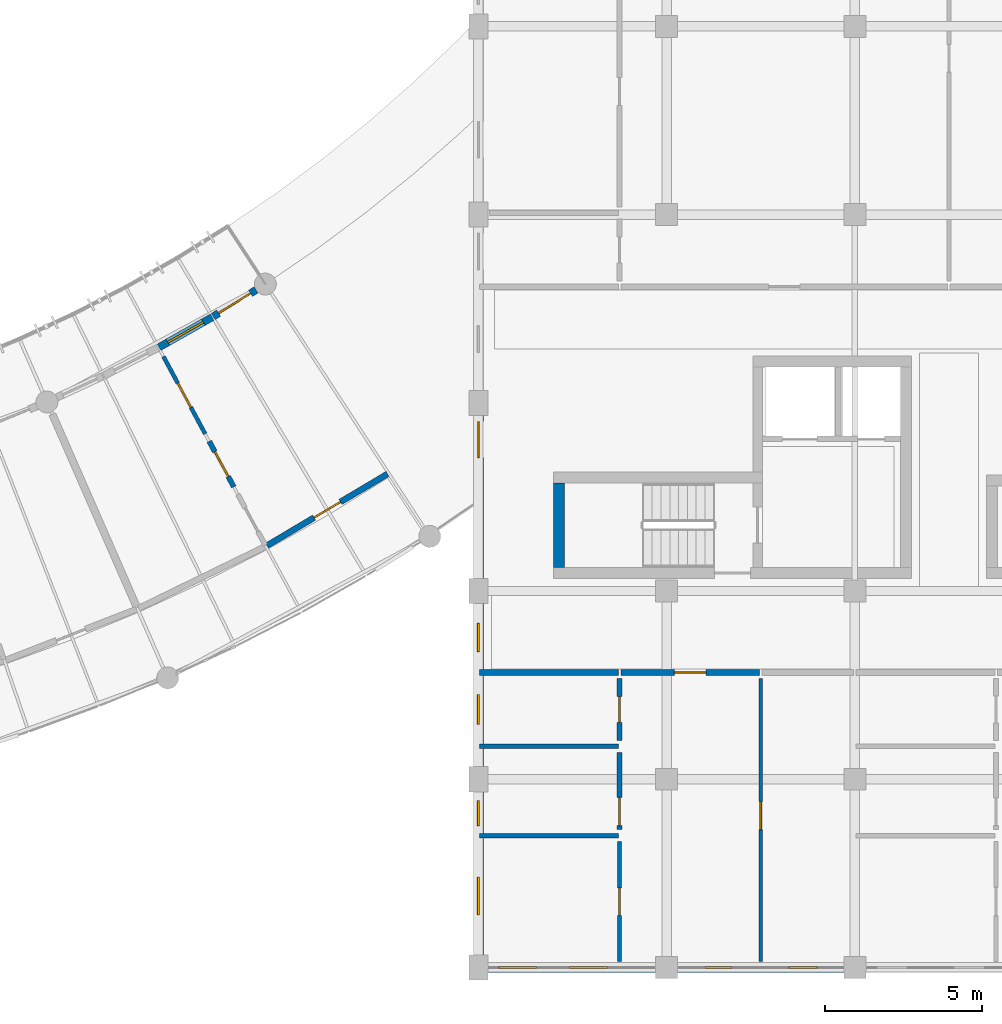
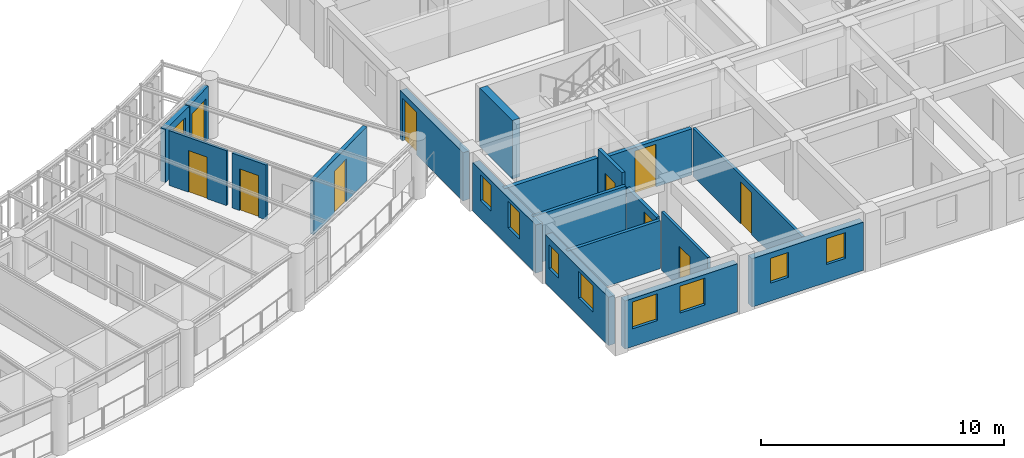
# One storey, part 95 of 137: 19 walls, 10 doors, 9 windows, 19 openings.
"""IFC4 building model written with IfcOpenShell, lengths in metres."""

from ifc_helpers import new_model, si_unit, direction, frame, frame_2d, origin, place, context, subcontext, project, spatial, rectangle, extrude, material, layer, layer_set, type_object, element, fill, save


model = new_model("IFC4")

# Units and contexts
model_context = context("Model", 3, precision=1e-05, world=origin(), true_north=direction((0.0, 1.0)))
body_context = subcontext(model_context, "Body", "Model", "MODEL_VIEW")
ifc_project = project(units=[si_unit("LENGTHUNIT", "METRE"), si_unit("AREAUNIT", "SQUARE_METRE"), si_unit("VOLUMEUNIT", "CUBIC_METRE"), si_unit("PLANEANGLEUNIT", "RADIAN"), si_unit("MASSUNIT", "GRAM", prefix="KILO"), si_unit("POWERUNIT", "WATT"), si_unit("THERMODYNAMICTEMPERATUREUNIT", "KELVIN")], contexts=[model_context])

# Site, building, storey
site_placement = place(None, origin())
site = spatial("IfcSite", under=ifc_project, at=site_placement, CompositionType="ELEMENT")
building_placement = place(site_placement, origin())
building = spatial("IfcBuilding", under=site, at=building_placement, Name="Ruvembo Vaulted Housing Court", CompositionType="ELEMENT")
storey_placement = place(building_placement, frame((0.0, 0.0, 4.5)))
storey = spatial("IfcBuildingStorey", under=building, at=storey_placement, Name="L01", CompositionType="ELEMENT", Elevation=4.5)

# Walls
ifc_material_1 = material(Name="Concrete C35/45", Category="concrete")
ifc_layer_1 = layer(ifc_material_1, 0.35009765625, Name="Concrete C35/45")
ifc_layer_set_1 = layer_set([ifc_layer_1], Name="Concrete C35/45")
wall_type_1 = type_object("IfcWallType", Name="WL-CORE-350", PredefinedType="SHEAR", material=ifc_layer_set_1)
wall_1_placement = place(storey_placement, frame((104.574951171875, 15.449951171875, 0.0), z_axis=(0.0, 0.0, 1.0), x_axis=(0.0, -1.0, 0.0)))
element("IfcWall", 1, at=wall_1_placement, inside=storey, type_object=wall_type_1, Name="Core C1 L01 Stair West Shear Wall", PredefinedType="SHEAR", context=body_context, shape_type="SweptSolid", body=[
    extrude(rectangle(XDim=2.699951171875, YDim=0.35009765625, at=frame_2d((1.35009765625, 0.0))), origin(), (0.0, 0.0, 1.0), 2.945068359375),
])
ifc_material_2 = material(Name="Concrete Blockwork 190", Category="masonry")
ifc_layer_2 = layer(ifc_material_2, 0.18994140625, Name="Concrete Blockwork 190")
ifc_layer_set_2 = layer_set([ifc_layer_2], Name="Concrete Blockwork 190")
wall_type_2 = type_object("IfcWallType", Name="WL-CORR-190", PredefinedType="SOLIDWALL", material=ifc_layer_set_2)
wall_2_placement = place(storey_placement, frame((102.0400390625, 9.39990234375, 0.0), z_axis=(0.0, 0.0, 1.0), x_axis=(1.0, 0.0, 0.0)))
element("IfcWall", 2, at=wall_2_placement, inside=storey, type_object=wall_type_2, Name="L01 Flat C-L01-S1 Corridor Wall WL-INT-L01-00275", PredefinedType="SOLIDWALL", context=body_context, shape_type="SweptSolid", body=[
    extrude(rectangle(XDim=4.419921875, YDim=0.18994140625, at=frame_2d((2.2099609375, 0.0))), origin(), (0.0, 0.0, 1.0), 2.427001953125),
])

# Wall, opening, door
wall_3_placement = place(storey_placement, frame((106.5400390625, 9.39990234375, 0.0), z_axis=(0.0, 0.0, 1.0), x_axis=(1.0, 0.0, 0.0)))
wall_3 = element("IfcWall", 3, at=wall_3_placement, inside=storey, type_object=wall_type_2, Name="L01 Flat C-L01-S1 Entrance WL-INT-L01-00276", PredefinedType="SOLIDWALL", context=body_context, shape_type="SweptSolid", body=[
    extrude(rectangle(XDim=4.419921875, YDim=0.18994140625, at=frame_2d((2.2099609375, 0.0))), origin(), (0.0, 0.0, 1.0), 2.326904296875),
])
opening_1_placement = place(wall_3_placement, frame((1.7099609375, 0.0, 0.0)))
opening_1 = element("IfcOpeningElement", 4, at=opening_1_placement, cuts=wall_3, Name="Opening FD1", PredefinedType="OPENING", context=body_context, shape_type="SweptSolid", body=[
    extrude(rectangle(XDim=1.0, YDim=2.14990234375, at=frame_2d((0.5, 1.074951171875))), frame((0.0, 0.10498046875, 0.0), z_axis=(0.0, -1.0, 0.0), x_axis=(1.0, 0.0, 0.0)), (0.0, 0.0, 1.0), 0.2099609375),
])
ifc_material_3 = material(Name="FSC Hardwood and Engineered Timber", Category="wood")
door_type_1 = type_object("IfcDoorType", Name="DR-FLAT-1000x2150", OperationType="NOTDEFINED", PredefinedType="DOOR", material=ifc_material_3)
door_1_placement = place(opening_1_placement, origin())
door_1 = element("IfcDoor", 5, at=door_1_placement, inside=storey, type_object=door_type_1, Name="L01 Flat C-L01-S1 Entrance Door DR-INT-L01-00138", OperationType="SINGLE_SWING_RIGHT", OverallHeight=2.14990234375, OverallWidth=1.0, PredefinedType="DOOR", context=body_context, shape_type="SweptSolid", body=[
    extrude(rectangle(XDim=1.0, YDim=2.14990234375, at=frame_2d((0.5, 1.074951171875))), frame((0.0, 0.02490234375, 0.0), z_axis=(0.0, -1.0, 0.0), x_axis=(1.0, 0.0, 0.0)), (0.0, 0.0, 1.0), 0.050048828125),
])
fill(opening_1, door_1)

wall_4_placement = place(storey_placement, frame((95.258056640625, 13.447265625, 0.0), z_axis=(0.0, 0.0, 1.0), x_axis=(0.859614290038, 0.510943511909, 0.0)))
wall_4 = element("IfcWall", 6, at=wall_4_placement, inside=storey, type_object=wall_type_2, Name="L01 Suite SC2-L01-U7 Entrance WL-INT-L01-00436", PredefinedType="SOLIDWALL", context=body_context, shape_type="SweptSolid", body=[
    extrude(rectangle(XDim=4.472900390625, YDim=0.18994140625, at=frame_2d((2.236328125, 0.0))), origin(), (0.0, 0.0, 1.0), 2.721923828125),
])
opening_2_placement = place(wall_4_placement, frame((1.74658203125, 0.0, 0.0)))
opening_2 = element("IfcOpeningElement", 7, at=opening_2_placement, cuts=wall_4, Name="Opening FD2", PredefinedType="OPENING", context=body_context, shape_type="SweptSolid", body=[
    extrude(rectangle(XDim=0.97998046875, YDim=2.14990234375, at=frame_2d((0.489990234375, 1.074951171875))), frame((0.0, 0.10498046875, 0.0), z_axis=(0.0, -1.0, 0.0), x_axis=(1.0, 0.0, 0.0)), (0.0, 0.0, 1.0), 0.2099609375),
])
door_type_2 = type_object("IfcDoorType", Name="DR-FLAT-0980x2150", OperationType="NOTDEFINED", PredefinedType="DOOR", material=ifc_material_3)
door_2_placement = place(opening_2_placement, origin())
door_2 = element("IfcDoor", 8, at=door_2_placement, inside=storey, type_object=door_type_2, Name="L01 Suite SC2-L01-U7 Entrance Door DR-INT-L01-00232", OperationType="SINGLE_SWING_RIGHT", OverallHeight=2.14990234375, OverallWidth=0.97998046875, PredefinedType="DOOR", context=body_context, shape_type="SweptSolid", body=[
    extrude(rectangle(XDim=0.97998046875, YDim=2.14990234375, at=frame_2d((0.489990234375, 1.074951171875))), frame((0.0, 0.02490234375, 0.0), z_axis=(0.0, -1.0, 0.0), x_axis=(1.0, 0.0, 0.0)), (0.0, 0.0, 1.0), 0.050048828125),
])
fill(opening_2, door_2)

# Wall, opening, window
ifc_material_4 = material(Name="Rendered Masonry 235", Category="masonry")
ifc_layer_3 = layer(ifc_material_4, 0.235107421875, Name="Rendered Masonry 235")
ifc_layer_set_3 = layer_set([ifc_layer_3], Name="Rendered Masonry 235")
wall_type_3 = type_object("IfcWallType", Name="WL-EXT-235", PredefinedType="STANDARD", material=ifc_layer_set_3)
wall_5_placement = place(storey_placement, frame((91.820556640625, 19.772216796875, 0.0), z_axis=(0.0, 0.0, 1.0), x_axis=(0.86993400964, 0.493168144623, 0.0)))
wall_5 = element("IfcWall", 9, at=wall_5_placement, inside=storey, type_object=wall_type_3, Name="Scoop SC2 L01 Concave Balcony Wall 26", PredefinedType="STANDARD", context=body_context, shape_type="SweptSolid", body=[
    extrude(rectangle(XDim=1.940185546875, YDim=0.235107421875, at=frame_2d((0.97021484375, 0.0))), origin(), (0.0, 0.0, 1.0), 2.68408203125),
])
opening_3_placement = place(wall_5_placement, frame((0.320068359375, 0.0, 0.85009765625)))
opening_3 = element("IfcOpeningElement", 10, at=opening_3_placement, cuts=wall_5, Name="Opening W15", PredefinedType="OPENING", context=body_context, shape_type="SweptSolid", body=[
    extrude(rectangle(XDim=1.300048828125, YDim=1.449951171875, at=frame_2d((0.64990234375, 0.72509765625))), frame((0.0, 0.12744140625, 0.0), z_axis=(0.0, -1.0, 0.0), x_axis=(1.0, 0.0, 0.0)), (0.0, 0.0, 1.0), 0.255126953125),
])
ifc_material_5 = material(Name="Double Solar-Control Glazing in Aluminium Frame", Category="aluminium")
window_type_1 = type_object("IfcWindowType", Name="WIN-1300x1450", PartitioningType="SINGLE_PANEL", PredefinedType="WINDOW", material=ifc_material_5)
window_1_placement = place(opening_3_placement, origin())
window_1 = element("IfcWindow", 11, at=window_1_placement, inside=storey, type_object=window_type_1, Name="Scoop SC2 L01 Concave Window 26", OverallHeight=1.449951171875, OverallWidth=1.300048828125, PartitioningType="SINGLE_PANEL", PredefinedType="WINDOW", context=body_context, shape_type="SweptSolid", body=[
    extrude(rectangle(XDim=1.300048828125, YDim=1.449951171875, at=frame_2d((0.64990234375, 0.72509765625))), frame((0.0, 0.030029296875, 0.0), z_axis=(0.0, -1.0, 0.0), x_axis=(1.0, 0.0, 0.0)), (0.0, 0.0, 1.0), 0.06005859375),
])
fill(opening_3, window_1)

# Wall, opening, door
wall_6_placement = place(storey_placement, frame((93.542724609375, 20.74951171875, 0.0), z_axis=(0.0, 0.0, 1.0), x_axis=(0.848934138406, 0.528498655296, 0.0)))
wall_6 = element("IfcWall", 12, at=wall_6_placement, inside=storey, type_object=wall_type_3, Name="Scoop SC2 L01 Concave Balcony Wall 27", PredefinedType="STANDARD", context=body_context, shape_type="SweptSolid", body=[
    extrude(rectangle(XDim=1.60986328125, YDim=0.235107421875, at=frame_2d((0.804931640625, 0.0))), origin(), (0.0, 0.0, 1.0), 2.68408203125),
])
opening_4_placement = place(wall_6_placement, frame((0.205078125, 0.0, 0.0)))
opening_4 = element("IfcOpeningElement", 13, at=opening_4_placement, cuts=wall_6, Name="Opening BD2", PredefinedType="OPENING", context=body_context, shape_type="SweptSolid", body=[
    extrude(rectangle(XDim=1.199951171875, YDim=2.14990234375, at=frame_2d((0.60009765625, 1.074951171875))), frame((0.0, 0.12744140625, 0.0), z_axis=(0.0, -1.0, 0.0), x_axis=(1.0, 0.0, 0.0)), (0.0, 0.0, 1.0), 0.255126953125),
])
ifc_material_6 = material(Name="Thermally Broken Glazed Aluminium", Category="aluminium")
door_type_3 = type_object("IfcDoorType", Name="DR-BAL-1200x2150", OperationType="NOTDEFINED", PredefinedType="DOOR", material=ifc_material_6)
door_3_placement = place(opening_4_placement, origin())
door_3 = element("IfcDoor", 14, at=door_3_placement, inside=storey, type_object=door_type_3, Name="Scoop SC2 L01 Balcony Door 27", OperationType="SINGLE_SWING_RIGHT", OverallHeight=2.14990234375, OverallWidth=1.199951171875, PredefinedType="DOOR", context=body_context, shape_type="SweptSolid", body=[
    extrude(rectangle(XDim=1.199951171875, YDim=2.14990234375, at=frame_2d((0.60009765625, 1.074951171875))), frame((0.0, 0.02490234375, 0.0), z_axis=(0.0, -1.0, 0.0), x_axis=(1.0, 0.0, 0.0)), (0.0, 0.0, 1.0), 0.050048828125),
])
fill(opening_4, door_3)

# Wall, openings, windows
ifc_material_7 = material(Name="Rendered Masonry 320", Category="masonry")
ifc_layer_4 = layer(ifc_material_7, 0.320068359375, Name="Rendered Masonry 320")
ifc_layer_set_4 = layer_set([ifc_layer_4], Name="Rendered Masonry 320")
wall_type_4 = type_object("IfcWallType", Name="WL-EXT-320", PredefinedType="STANDARD", material=ifc_layer_set_4)
wall_7_placement = place(storey_placement, frame((102.300048828125, 0.0, 0.0), z_axis=(0.0, 0.0, 1.0), x_axis=(1.0, 0.0, 0.0)))
wall_7 = element("IfcWall", 15, at=wall_7_placement, inside=storey, type_object=wall_type_4, Name="Block C L01 Exterior Wall STREET #1", PredefinedType="STANDARD", context=body_context, shape_type="SweptSolid", body=[
    extrude(rectangle(XDim=5.349853515625, YDim=0.320068359375, at=frame_2d((2.6748046875, 0.0))), origin(), (0.0, 0.0, 1.0), 2.427001953125),
])
opening_5_placement = place(wall_7_placement, frame((0.35009765625, 0.0, 0.89990234375)))
opening_5 = element("IfcOpeningElement", 16, at=opening_5_placement, cuts=wall_7, Name="Opening W12", PredefinedType="OPENING", context=body_context, shape_type="SweptSolid", body=[
    extrude(rectangle(XDim=1.199951171875, YDim=1.35009765625, at=frame_2d((0.60009765625, 0.675048828125))), frame((0.0, 0.169921875, 0.0), z_axis=(0.0, -1.0, 0.0), x_axis=(1.0, 0.0, 0.0)), (0.0, 0.0, 1.0), 0.340087890625),
])
opening_6_placement = place(wall_7_placement, frame((2.610107421875, 0.0, 0.89990234375)))
opening_6 = element("IfcOpeningElement", 17, at=opening_6_placement, cuts=wall_7, Name="Opening W12", PredefinedType="OPENING", context=body_context, shape_type="SweptSolid", body=[
    extrude(rectangle(XDim=1.199951171875, YDim=1.35009765625, at=frame_2d((0.60009765625, 0.675048828125))), frame((0.0, 0.169921875, 0.0), z_axis=(0.0, -1.0, 0.0), x_axis=(1.0, 0.0, 0.0)), (0.0, 0.0, 1.0), 0.340087890625),
])
window_type_2 = type_object("IfcWindowType", Name="WIN-1200x1350", PartitioningType="SINGLE_PANEL", PredefinedType="WINDOW", material=ifc_material_5)
window_2_placement = place(opening_5_placement, origin())
window_2 = element("IfcWindow", 18, at=window_2_placement, inside=storey, type_object=window_type_2, Name="Block C L01 Window #1109", OverallHeight=1.35009765625, OverallWidth=1.199951171875, PartitioningType="SINGLE_PANEL", PredefinedType="WINDOW", context=body_context, shape_type="SweptSolid", body=[
    extrude(rectangle(XDim=1.199951171875, YDim=1.35009765625, at=frame_2d((0.60009765625, 0.675048828125))), frame((0.0, 0.030029296875, 0.0), z_axis=(0.0, -1.0, 0.0), x_axis=(1.0, 0.0, 0.0)), (0.0, 0.0, 1.0), 0.06005859375),
])
fill(opening_5, window_2)
window_3_placement = place(opening_6_placement, origin())
window_3 = element("IfcWindow", 19, at=window_3_placement, inside=storey, type_object=window_type_2, Name="Block C L01 Window #1110", OverallHeight=1.35009765625, OverallWidth=1.199951171875, PartitioningType="SINGLE_PANEL", PredefinedType="WINDOW", context=body_context, shape_type="SweptSolid", body=[
    extrude(rectangle(XDim=1.199951171875, YDim=1.35009765625, at=frame_2d((0.60009765625, 0.675048828125))), frame((0.0, 0.030029296875, 0.0), z_axis=(0.0, -1.0, 0.0), x_axis=(1.0, 0.0, 0.0)), (0.0, 0.0, 1.0), 0.06005859375),
])
fill(opening_6, window_3)

wall_8_placement = place(storey_placement, frame((108.35009765625, 0.0, 0.0), z_axis=(0.0, 0.0, 1.0), x_axis=(1.0, 0.0, 0.0)))
wall_8 = element("IfcWall", 20, at=wall_8_placement, inside=storey, type_object=wall_type_4, Name="Block C L01 Exterior Wall STREET #2", PredefinedType="STANDARD", context=body_context, shape_type="SweptSolid", body=[
    extrude(rectangle(XDim=5.2998046875, YDim=0.320068359375, at=frame_2d((2.64990234375, 0.0))), origin(), (0.0, 0.0, 1.0), 2.427001953125),
])
opening_7_placement = place(wall_8_placement, frame((0.8798828125, 0.0, 0.89990234375)))
opening_7 = element("IfcOpeningElement", 21, at=opening_7_placement, cuts=wall_8, Name="Opening W03", PredefinedType="OPENING", context=body_context, shape_type="SweptSolid", body=[
    extrude(rectangle(XDim=0.85009765625, YDim=1.25, at=frame_2d((0.425048828125, 0.625))), frame((0.0, 0.169921875, 0.0), z_axis=(0.0, -1.0, 0.0), x_axis=(1.0, 0.0, 0.0)), (0.0, 0.0, 1.0), 0.340087890625),
])
opening_8_placement = place(wall_8_placement, frame((3.544921875, 0.0, 0.89990234375)))
opening_8 = element("IfcOpeningElement", 22, at=opening_8_placement, cuts=wall_8, Name="Opening W04", PredefinedType="OPENING", context=body_context, shape_type="SweptSolid", body=[
    extrude(rectangle(XDim=0.89990234375, YDim=1.300048828125, at=frame_2d((0.449951171875, 0.64990234375))), frame((0.0, 0.169921875, 0.0), z_axis=(0.0, -1.0, 0.0), x_axis=(1.0, 0.0, 0.0)), (0.0, 0.0, 1.0), 0.340087890625),
])
window_type_3 = type_object("IfcWindowType", Name="WIN-0850x1250", PartitioningType="SINGLE_PANEL", PredefinedType="WINDOW", material=ifc_material_5)
window_4_placement = place(opening_7_placement, origin())
window_4 = element("IfcWindow", 23, at=window_4_placement, inside=storey, type_object=window_type_3, Name="Block C L01 Window #1111", OverallHeight=1.25, OverallWidth=0.85009765625, PartitioningType="SINGLE_PANEL", PredefinedType="WINDOW", context=body_context, shape_type="SweptSolid", body=[
    extrude(rectangle(XDim=0.85009765625, YDim=1.25, at=frame_2d((0.425048828125, 0.625))), frame((0.0, 0.030029296875, 0.0), z_axis=(0.0, -1.0, 0.0), x_axis=(1.0, 0.0, 0.0)), (0.0, 0.0, 1.0), 0.06005859375),
])
fill(opening_7, window_4)
window_type_4 = type_object("IfcWindowType", Name="WIN-0900x1300", PartitioningType="SINGLE_PANEL", PredefinedType="WINDOW", material=ifc_material_5)
window_5_placement = place(opening_8_placement, origin())
window_5 = element("IfcWindow", 24, at=window_5_placement, inside=storey, type_object=window_type_4, Name="Block C L01 Window #1112", OverallHeight=1.300048828125, OverallWidth=0.89990234375, PartitioningType="SINGLE_PANEL", PredefinedType="WINDOW", context=body_context, shape_type="SweptSolid", body=[
    extrude(rectangle(XDim=0.89990234375, YDim=1.300048828125, at=frame_2d((0.449951171875, 0.64990234375))), frame((0.0, 0.030029296875, 0.0), z_axis=(0.0, -1.0, 0.0), x_axis=(1.0, 0.0, 0.0)), (0.0, 0.0, 1.0), 0.06005859375),
])
fill(opening_8, window_5)

# Wall, opening, door
wall_9_placement = place(storey_placement, frame((102.0, 17.60009765625, 0.0), z_axis=(0.0, 0.0, 1.0), x_axis=(0.0, -1.0, 0.0)))
wall_9 = element("IfcWall", 25, at=wall_9_placement, inside=storey, type_object=wall_type_4, Name="Block C L01 Exterior Wall WEST #4", PredefinedType="STANDARD", context=body_context, shape_type="SweptSolid", body=[
    extrude(rectangle(XDim=5.2001953125, YDim=0.320068359375, at=frame_2d((2.60009765625, 0.0))), origin(), (0.0, 0.0, 1.0), 2.427001953125),
])
opening_9_placement = place(wall_9_placement, frame((0.199951171875, 0.0, 0.0)))
opening_9 = element("IfcOpeningElement", 26, at=opening_9_placement, cuts=wall_9, Name="Opening GD1", PredefinedType="OPENING", context=body_context, shape_type="SweptSolid", body=[
    extrude(rectangle(XDim=1.14990234375, YDim=2.14990234375, at=frame_2d((0.574951171875, 1.074951171875))), frame((0.0, 0.169921875, 0.0), z_axis=(0.0, -1.0, 0.0), x_axis=(1.0, 0.0, 0.0)), (0.0, 0.0, 1.0), 0.340087890625),
])
door_type_4 = type_object("IfcDoorType", Name="DR-GAL-1150x2150", OperationType="NOTDEFINED", PredefinedType="DOOR", material=ifc_material_6)
door_4_placement = place(opening_9_placement, frame((1.14990234375, 0.0, 0.0), z_axis=(0.0, 0.0, 1.0), x_axis=(-1.0, 0.0, 0.0)))
door_4 = element("IfcDoor", 27, at=door_4_placement, inside=storey, type_object=door_type_4, Name="Block C L01 Terrace or Gallery Door DR-TER-C-L01-052", OperationType="SINGLE_SWING_LEFT", OverallHeight=2.14990234375, OverallWidth=1.14990234375, PredefinedType="DOOR", context=body_context, shape_type="SweptSolid", body=[
    extrude(rectangle(XDim=1.14990234375, YDim=2.14990234375, at=frame_2d((0.574951171875, 1.074951171875))), frame((0.0, 0.02490234375, 0.0), z_axis=(0.0, -1.0, 0.0), x_axis=(1.0, 0.0, 0.0)), (0.0, 0.0, 1.0), 0.050048828125),
])
fill(opening_9, door_4)

# Wall, openings, windows
wall_10_placement = place(storey_placement, frame((102.0, 11.60009765625, 0.0), z_axis=(0.0, 0.0, 1.0), x_axis=(0.0, -1.0, 0.0)))
wall_10 = element("IfcWall", 28, at=wall_10_placement, inside=storey, type_object=wall_type_4, Name="Block C L01 Exterior Wall WEST #5", PredefinedType="STANDARD", context=body_context, shape_type="SweptSolid", body=[
    extrude(rectangle(XDim=5.2001953125, YDim=0.320068359375, at=frame_2d((2.60009765625, 0.0))), origin(), (0.0, 0.0, 1.0), 2.427001953125),
])
opening_10_placement = place(wall_10_placement, frame((0.6298828125, 0.0, 0.89990234375)))
opening_10 = element("IfcOpeningElement", 29, at=opening_10_placement, cuts=wall_10, Name="Opening W04", PredefinedType="OPENING", context=body_context, shape_type="SweptSolid", body=[
    extrude(rectangle(XDim=0.89990234375, YDim=1.300048828125, at=frame_2d((0.449951171875, 0.64990234375))), frame((0.0, 0.169921875, 0.0), z_axis=(0.0, -1.0, 0.0), x_axis=(1.0, 0.0, 0.0)), (0.0, 0.0, 1.0), 0.340087890625),
])
opening_11_placement = place(wall_10_placement, frame((2.89990234375, 0.0, 0.89990234375)))
opening_11 = element("IfcOpeningElement", 30, at=opening_11_placement, cuts=wall_10, Name="Opening W07", PredefinedType="OPENING", context=body_context, shape_type="SweptSolid", body=[
    extrude(rectangle(XDim=0.949951171875, YDim=1.35009765625, at=frame_2d((0.47509765625, 0.675048828125))), frame((0.0, 0.169921875, 0.0), z_axis=(0.0, -1.0, 0.0), x_axis=(1.0, 0.0, 0.0)), (0.0, 0.0, 1.0), 0.340087890625),
])
window_6_placement = place(opening_10_placement, origin())
window_6 = element("IfcWindow", 31, at=window_6_placement, inside=storey, type_object=window_type_4, Name="Block C L01 Window #1148", OverallHeight=1.300048828125, OverallWidth=0.89990234375, PartitioningType="SINGLE_PANEL", PredefinedType="WINDOW", context=body_context, shape_type="SweptSolid", body=[
    extrude(rectangle(XDim=0.89990234375, YDim=1.300048828125, at=frame_2d((0.449951171875, 0.64990234375))), frame((0.0, 0.030029296875, 0.0), z_axis=(0.0, -1.0, 0.0), x_axis=(1.0, 0.0, 0.0)), (0.0, 0.0, 1.0), 0.06005859375),
])
fill(opening_10, window_6)
window_type_5 = type_object("IfcWindowType", Name="WIN-0950x1350", PartitioningType="SINGLE_PANEL", PredefinedType="WINDOW", material=ifc_material_5)
window_7_placement = place(opening_11_placement, origin())
window_7 = element("IfcWindow", 32, at=window_7_placement, inside=storey, type_object=window_type_5, Name="Block C L01 Window #1149", OverallHeight=1.35009765625, OverallWidth=0.949951171875, PartitioningType="SINGLE_PANEL", PredefinedType="WINDOW", context=body_context, shape_type="SweptSolid", body=[
    extrude(rectangle(XDim=0.949951171875, YDim=1.35009765625, at=frame_2d((0.47509765625, 0.675048828125))), frame((0.0, 0.030029296875, 0.0), z_axis=(0.0, -1.0, 0.0), x_axis=(1.0, 0.0, 0.0)), (0.0, 0.0, 1.0), 0.06005859375),
])
fill(opening_11, window_7)

wall_11_placement = place(storey_placement, frame((102.0, 5.60009765625, 0.0), z_axis=(0.0, 0.0, 1.0), x_axis=(0.0, -1.0, 0.0)))
wall_11 = element("IfcWall", 33, at=wall_11_placement, inside=storey, type_object=wall_type_4, Name="Block C L01 Exterior Wall WEST #6", PredefinedType="STANDARD", context=body_context, shape_type="SweptSolid", body=[
    extrude(rectangle(XDim=5.2001953125, YDim=0.320068359375, at=frame_2d((2.60009765625, 0.0))), origin(), (0.0, 0.0, 1.0), 2.427001953125),
])
opening_12_placement = place(wall_11_placement, frame((0.280029296875, 0.0, 0.89990234375)))
opening_12 = element("IfcOpeningElement", 34, at=opening_12_placement, cuts=wall_11, Name="Opening W02", PredefinedType="OPENING", context=body_context, shape_type="SweptSolid", body=[
    extrude(rectangle(XDim=0.800048828125, YDim=1.199951171875, at=frame_2d((0.39990234375, 0.60009765625))), frame((0.0, 0.169921875, 0.0), z_axis=(0.0, -1.0, 0.0), x_axis=(1.0, 0.0, 0.0)), (0.0, 0.0, 1.0), 0.340087890625),
])
opening_13_placement = place(wall_11_placement, frame((2.719970703125, 0.0, 0.89990234375)))
opening_13 = element("IfcOpeningElement", 35, at=opening_13_placement, cuts=wall_11, Name="Opening W12", PredefinedType="OPENING", context=body_context, shape_type="SweptSolid", body=[
    extrude(rectangle(XDim=1.199951171875, YDim=1.35009765625, at=frame_2d((0.60009765625, 0.675048828125))), frame((0.0, 0.169921875, 0.0), z_axis=(0.0, -1.0, 0.0), x_axis=(1.0, 0.0, 0.0)), (0.0, 0.0, 1.0), 0.340087890625),
])
window_type_6 = type_object("IfcWindowType", Name="WIN-0800x1200", PartitioningType="SINGLE_PANEL", PredefinedType="WINDOW", material=ifc_material_5)
window_8_placement = place(opening_12_placement, origin())
window_8 = element("IfcWindow", 36, at=window_8_placement, inside=storey, type_object=window_type_6, Name="Block C L01 Window #1150", OverallHeight=1.199951171875, OverallWidth=0.800048828125, PartitioningType="SINGLE_PANEL", PredefinedType="WINDOW", context=body_context, shape_type="SweptSolid", body=[
    extrude(rectangle(XDim=0.800048828125, YDim=1.199951171875, at=frame_2d((0.39990234375, 0.60009765625))), frame((0.0, 0.030029296875, 0.0), z_axis=(0.0, -1.0, 0.0), x_axis=(1.0, 0.0, 0.0)), (0.0, 0.0, 1.0), 0.06005859375),
])
fill(opening_12, window_8)
window_9_placement = place(opening_13_placement, origin())
window_9 = element("IfcWindow", 37, at=window_9_placement, inside=storey, type_object=window_type_2, Name="Block C L01 Window #1151", OverallHeight=1.35009765625, OverallWidth=1.199951171875, PartitioningType="SINGLE_PANEL", PredefinedType="WINDOW", context=body_context, shape_type="SweptSolid", body=[
    extrude(rectangle(XDim=1.199951171875, YDim=1.35009765625, at=frame_2d((0.60009765625, 0.675048828125))), frame((0.0, 0.030029296875, 0.0), z_axis=(0.0, -1.0, 0.0), x_axis=(1.0, 0.0, 0.0)), (0.0, 0.0, 1.0), 0.06005859375),
])
fill(opening_13, window_9)

# Wall, opening, door
ifc_material_8 = material(Name="Plasterboard Stud Partition 125", Category="gypsum")
ifc_layer_5 = layer(ifc_material_8, 0.125, Name="Plasterboard Stud Partition 125")
ifc_layer_set_5 = layer_set([ifc_layer_5], Name="Plasterboard Stud Partition 125")
wall_type_5 = type_object("IfcWallType", Name="WL-PART-125", PredefinedType="PARTITIONING", material=ifc_layer_set_5)
wall_12_placement = place(storey_placement, frame((106.5, 0.18994140625, 0.0), z_axis=(0.0, 0.0, 1.0), x_axis=(0.0, 1.0, 0.0)))
wall_12 = element("IfcWall", 38, at=wall_12_placement, inside=storey, type_object=wall_type_5, Name="L01 Flat C-L01-S1 Bedroom 1 WL-INT-L01-00277", PredefinedType="PARTITIONING", context=body_context, shape_type="SweptSolid", body=[
    extrude(rectangle(XDim=3.820068359375, YDim=0.125, at=frame_2d((1.91015625, 0.0))), origin(), (0.0, 0.0, 1.0), 2.945068359375),
])
opening_14_placement = place(wall_12_placement, frame((1.469970703125, 0.0, 0.0)))
opening_14 = element("IfcOpeningElement", 39, at=opening_14_placement, cuts=wall_12, Name="Opening ID3", PredefinedType="OPENING", context=body_context, shape_type="SweptSolid", body=[
    extrude(rectangle(XDim=0.8798828125, YDim=2.10009765625, at=frame_2d((0.43994140625, 1.050048828125))), frame((0.0, 0.072509765625, 0.0), z_axis=(0.0, -1.0, 0.0), x_axis=(1.0, 0.0, 0.0)), (0.0, 0.0, 1.0), 0.14501953125),
])
door_type_5 = type_object("IfcDoorType", Name="DR-ROOM-0880x2100", OperationType="NOTDEFINED", PredefinedType="DOOR", material=ifc_material_3)
door_5_placement = place(opening_14_placement, origin())
door_5 = element("IfcDoor", 40, at=door_5_placement, inside=storey, type_object=door_type_5, Name="L01 Flat C-L01-S1 Bedroom 1 Door DR-INT-L01-00139", OperationType="SINGLE_SWING_LEFT", OverallHeight=2.10009765625, OverallWidth=0.8798828125, PredefinedType="DOOR", context=body_context, shape_type="SweptSolid", body=[
    extrude(rectangle(XDim=0.8798828125, YDim=2.10009765625, at=frame_2d((0.43994140625, 1.050048828125))), frame((0.0, 0.02490234375, 0.0), z_axis=(0.0, -1.0, 0.0), x_axis=(1.0, 0.0, 0.0)), (0.0, 0.0, 1.0), 0.050048828125),
])
fill(opening_14, door_5)

wall_13_placement = place(storey_placement, frame((111.0, 0.18994140625, 0.0), z_axis=(0.0, 0.0, 1.0), x_axis=(0.0, 1.0, 0.0)))
wall_13 = element("IfcWall", 41, at=wall_13_placement, inside=storey, type_object=wall_type_5, Name="L01 Flat C-L01-S1 Bedroom 2 WL-INT-L01-00283", PredefinedType="PARTITIONING", context=body_context, shape_type="SweptSolid", body=[
    extrude(rectangle(XDim=9.02001953125, YDim=0.125, at=frame_2d((4.510009765625, 0.0))), origin(), (0.0, 0.0, 1.0), 2.427001953125),
])
opening_15_placement = place(wall_13_placement, frame((4.199951171875, 0.0, 0.0)))
opening_15 = element("IfcOpeningElement", 42, at=opening_15_placement, cuts=wall_13, Name="Opening ID1", PredefinedType="OPENING", context=body_context, shape_type="SweptSolid", body=[
    extrude(rectangle(XDim=0.89990234375, YDim=2.10009765625, at=frame_2d((0.449951171875, 1.050048828125))), frame((0.0, 0.072509765625, 0.0), z_axis=(0.0, -1.0, 0.0), x_axis=(1.0, 0.0, 0.0)), (0.0, 0.0, 1.0), 0.14501953125),
])
door_type_6 = type_object("IfcDoorType", Name="DR-ROOM-0900x2100", OperationType="NOTDEFINED", PredefinedType="DOOR", material=ifc_material_3)
door_6_placement = place(opening_15_placement, origin())
door_6 = element("IfcDoor", 43, at=door_6_placement, inside=storey, type_object=door_type_6, Name="L01 Flat C-L01-S1 Bedroom 2 Door DR-INT-L01-00142", OperationType="SINGLE_SWING_RIGHT", OverallHeight=2.10009765625, OverallWidth=0.89990234375, PredefinedType="DOOR", context=body_context, shape_type="SweptSolid", body=[
    extrude(rectangle(XDim=0.89990234375, YDim=2.10009765625, at=frame_2d((0.449951171875, 1.050048828125))), frame((0.0, 0.02490234375, 0.0), z_axis=(0.0, -1.0, 0.0), x_axis=(1.0, 0.0, 0.0)), (0.0, 0.0, 1.0), 0.050048828125),
])
fill(opening_15, door_6)

wall_14_placement = place(storey_placement, frame((91.958984375, 19.473876953125, 0.0), z_axis=(0.0, 0.0, 1.0), x_axis=(0.475103009949, -0.879930184695, 0.0)))
wall_14 = element("IfcWall", 44, at=wall_14_placement, inside=storey, type_object=wall_type_5, Name="L01 Suite SC2-L01-U7 Bedroom WL-INT-L01-00437", PredefinedType="PARTITIONING", context=body_context, shape_type="SweptSolid", body=[
    extrude(rectangle(XDim=2.800048828125, YDim=0.125, at=frame_2d((1.39990234375, 0.0))), origin(), (0.0, 0.0, 1.0), 2.761962890625),
])
opening_16_placement = place(wall_14_placement, frame((0.9599609375, 0.0, 0.0)))
opening_16 = element("IfcOpeningElement", 45, at=opening_16_placement, cuts=wall_14, Name="Opening ID3", PredefinedType="OPENING", context=body_context, shape_type="SweptSolid", body=[
    extrude(rectangle(XDim=0.8798828125, YDim=2.10009765625, at=frame_2d((0.43994140625, 1.050048828125))), frame((0.0, 0.072509765625, 0.0), z_axis=(0.0, -1.0, 0.0), x_axis=(1.0, 0.0, 0.0)), (0.0, 0.0, 1.0), 0.14501953125),
])
door_7_placement = place(opening_16_placement, origin())
door_7 = element("IfcDoor", 46, at=door_7_placement, inside=storey, type_object=door_type_5, Name="L01 Suite SC2-L01-U7 Bedroom Door DR-INT-L01-00233", OperationType="SINGLE_SWING_LEFT", OverallHeight=2.10009765625, OverallWidth=0.8798828125, PredefinedType="DOOR", context=body_context, shape_type="SweptSolid", body=[
    extrude(rectangle(XDim=0.8798828125, YDim=2.10009765625, at=frame_2d((0.43994140625, 1.050048828125))), frame((0.0, 0.02490234375, 0.0), z_axis=(0.0, -1.0, 0.0), x_axis=(1.0, 0.0, 0.0)), (0.0, 0.0, 1.0), 0.050048828125),
])
fill(opening_16, door_7)

ifc_material_9 = material(Name="Moisture-Resistant Wet Partition 150", Category="gypsum")
ifc_layer_6 = layer(ifc_material_9, 0.14990234375, Name="Moisture-Resistant Wet Partition 150")
ifc_layer_set_6 = layer_set([ifc_layer_6], Name="Moisture-Resistant Wet Partition 150")
wall_type_6 = type_object("IfcWallType", Name="WL-PART-150", PredefinedType="PARTITIONING", material=ifc_layer_set_6)
wall_15_placement = place(storey_placement, frame((106.5, 7.239990234375, 0.0), z_axis=(0.0, 0.0, 1.0), x_axis=(0.0, 1.0, 0.0)))
wall_15 = element("IfcWall", 47, at=wall_15_placement, inside=storey, type_object=wall_type_6, Name="L01 Flat C-L01-S1 Bathroom WL-INT-L01-00279", PredefinedType="PARTITIONING", context=body_context, shape_type="SweptSolid", body=[
    extrude(rectangle(XDim=1.969970703125, YDim=0.14990234375, at=frame_2d((0.98486328125, 0.0))), origin(), (0.0, 0.0, 1.0), 2.945068359375),
])
opening_17_placement = place(wall_15_placement, frame((0.574951171875, 0.0, 0.0)))
opening_17 = element("IfcOpeningElement", 48, at=opening_17_placement, cuts=wall_15, Name="Opening ID4", PredefinedType="OPENING", context=body_context, shape_type="SweptSolid", body=[
    extrude(rectangle(XDim=0.820068359375, YDim=2.080078125, at=frame_2d((0.41015625, 1.0400390625))), frame((0.0, 0.0849609375, 0.0), z_axis=(0.0, -1.0, 0.0), x_axis=(1.0, 0.0, 0.0)), (0.0, 0.0, 1.0), 0.169921875),
])
door_type_7 = type_object("IfcDoorType", Name="DR-WET-0820x2080", OperationType="NOTDEFINED", PredefinedType="DOOR", material=ifc_material_3)
door_8_placement = place(opening_17_placement, origin())
door_8 = element("IfcDoor", 49, at=door_8_placement, inside=storey, type_object=door_type_7, Name="L01 Flat C-L01-S1 Bathroom Door DR-INT-L01-00141", OperationType="SINGLE_SWING_LEFT", OverallHeight=2.080078125, OverallWidth=0.820068359375, PredefinedType="DOOR", context=body_context, shape_type="SweptSolid", body=[
    extrude(rectangle(XDim=0.820068359375, YDim=2.080078125, at=frame_2d((0.41015625, 1.0400390625))), frame((0.0, 0.02490234375, 0.0), z_axis=(0.0, -1.0, 0.0), x_axis=(1.0, 0.0, 0.0)), (0.0, 0.0, 1.0), 0.050048828125),
])
fill(opening_17, door_8)

# Walls
for number, where, z_axis, x_axis, name in (
    (50, (102.0400390625, 4.199951171875, 0.0), (0.0, 0.0, 1.0), (1.0, 0.0, 0.0), "L01 Flat C-L01-S1 Wet Wall 1 WL-INT-L01-00280"),
    (51, (102.0400390625, 7.050048828125, 0.0), (0.0, 0.0, 1.0), (1.0, 0.0, 0.0), "L01 Flat C-L01-S1 Wet Wall 2 WL-INT-L01-00281"),
):
    element("IfcWall", number, at=place(storey_placement, frame(where, z_axis=z_axis, x_axis=x_axis)), inside=storey, type_object=wall_type_6, Name=name, PredefinedType="PARTITIONING", context=body_context, shape_type="SweptSolid", body=[
        extrude(rectangle(XDim=4.419921875, YDim=0.14990234375, at=frame_2d((2.2099609375, 0.0))), origin(), (0.0, 0.0, 1.0), 2.427001953125),
    ])

# Wall, opening, door
ifc_material_10 = material(Name="Acoustic Service Chase Wall 160", Category="gypsum")
ifc_layer_7 = layer(ifc_material_10, 0.159912109375, Name="Acoustic Service Chase Wall 160")
ifc_layer_set_7 = layer_set([ifc_layer_7], Name="Acoustic Service Chase Wall 160")
wall_type_7 = type_object("IfcWallType", Name="WL-PLUMB-160", PredefinedType="PLUMBINGWALL", material=ifc_layer_set_7)
wall_16_placement = place(storey_placement, frame((106.5, 4.389892578125, 0.0), z_axis=(0.0, 0.0, 1.0), x_axis=(0.0, 1.0, 0.0)))
wall_16 = element("IfcWall", 52, at=wall_16_placement, inside=storey, type_object=wall_type_7, Name="L01 Flat C-L01-S1 Kitchen WL-INT-L01-00278", PredefinedType="PLUMBINGWALL", context=body_context, shape_type="SweptSolid", body=[
    extrude(rectangle(XDim=2.47021484375, YDim=0.159912109375, at=frame_2d((1.235107421875, 0.0))), origin(), (0.0, 0.0, 1.0), 2.427001953125),
])
opening_18_placement = place(wall_16_placement, frame((0.1298828125, 0.0, 0.0)))
opening_18 = element("IfcOpeningElement", 53, at=opening_18_placement, cuts=wall_16, Name="Opening ID1", PredefinedType="OPENING", context=body_context, shape_type="SweptSolid", body=[
    extrude(rectangle(XDim=0.89990234375, YDim=2.10009765625, at=frame_2d((0.449951171875, 1.050048828125))), frame((0.0, 0.08984375, 0.0), z_axis=(0.0, -1.0, 0.0), x_axis=(1.0, 0.0, 0.0)), (0.0, 0.0, 1.0), 0.179931640625),
])
door_9_placement = place(opening_18_placement, origin())
door_9 = element("IfcDoor", 54, at=door_9_placement, inside=storey, type_object=door_type_6, Name="L01 Flat C-L01-S1 Kitchen Door DR-INT-L01-00140", OperationType="SINGLE_SWING_RIGHT", OverallHeight=2.10009765625, OverallWidth=0.89990234375, PredefinedType="DOOR", context=body_context, shape_type="SweptSolid", body=[
    extrude(rectangle(XDim=0.89990234375, YDim=2.10009765625, at=frame_2d((0.449951171875, 1.050048828125))), frame((0.0, 0.02490234375, 0.0), z_axis=(0.0, -1.0, 0.0), x_axis=(1.0, 0.0, 0.0)), (0.0, 0.0, 1.0), 0.050048828125),
])
fill(opening_18, door_9)

wall_17_placement = place(storey_placement, frame((93.41845703125, 16.7705078125, 0.0), z_axis=(0.0, 0.0, 1.0), x_axis=(0.475080097018, -0.879942555749, 0.0)))
wall_17 = element("IfcWall", 55, at=wall_17_placement, inside=storey, type_object=wall_type_7, Name="L01 Suite SC2-L01-U7 Kitchen WL-INT-L01-00438", PredefinedType="PLUMBINGWALL", context=body_context, shape_type="SweptSolid", body=[
    extrude(rectangle(XDim=1.64794921875, YDim=0.159912109375, at=frame_2d((0.823974609375, 0.0))), origin(), (0.0, 0.0, 1.0), 2.761962890625),
])
opening_19_placement = place(wall_17_placement, frame((0.3740234375, 0.0, 0.0)))
opening_19 = element("IfcOpeningElement", 56, at=opening_19_placement, cuts=wall_17, Name="Opening ID1", PredefinedType="OPENING", context=body_context, shape_type="SweptSolid", body=[
    extrude(rectangle(XDim=0.89990234375, YDim=2.10009765625, at=frame_2d((0.449951171875, 1.050048828125))), frame((0.0, 0.08984375, 0.0), z_axis=(0.0, -1.0, 0.0), x_axis=(1.0, 0.0, 0.0)), (0.0, 0.0, 1.0), 0.179931640625),
])
door_10_placement = place(opening_19_placement, origin())
door_10 = element("IfcDoor", 57, at=door_10_placement, inside=storey, type_object=door_type_6, Name="L01 Suite SC2-L01-U7 Kitchen Door DR-INT-L01-00234", OperationType="SINGLE_SWING_RIGHT", OverallHeight=2.10009765625, OverallWidth=0.89990234375, PredefinedType="DOOR", context=body_context, shape_type="SweptSolid", body=[
    extrude(rectangle(XDim=0.89990234375, YDim=2.10009765625, at=frame_2d((0.449951171875, 1.050048828125))), frame((0.0, 0.02490234375, 0.0), z_axis=(0.0, -1.0, 0.0), x_axis=(1.0, 0.0, 0.0)), (0.0, 0.0, 1.0), 0.050048828125),
])
fill(opening_19, door_10)

save(model, "model.ifc")
